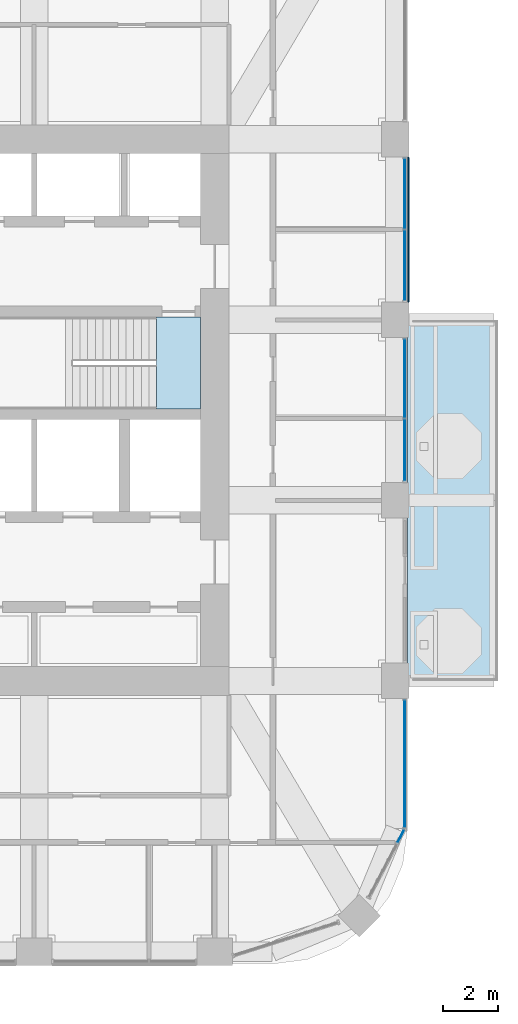
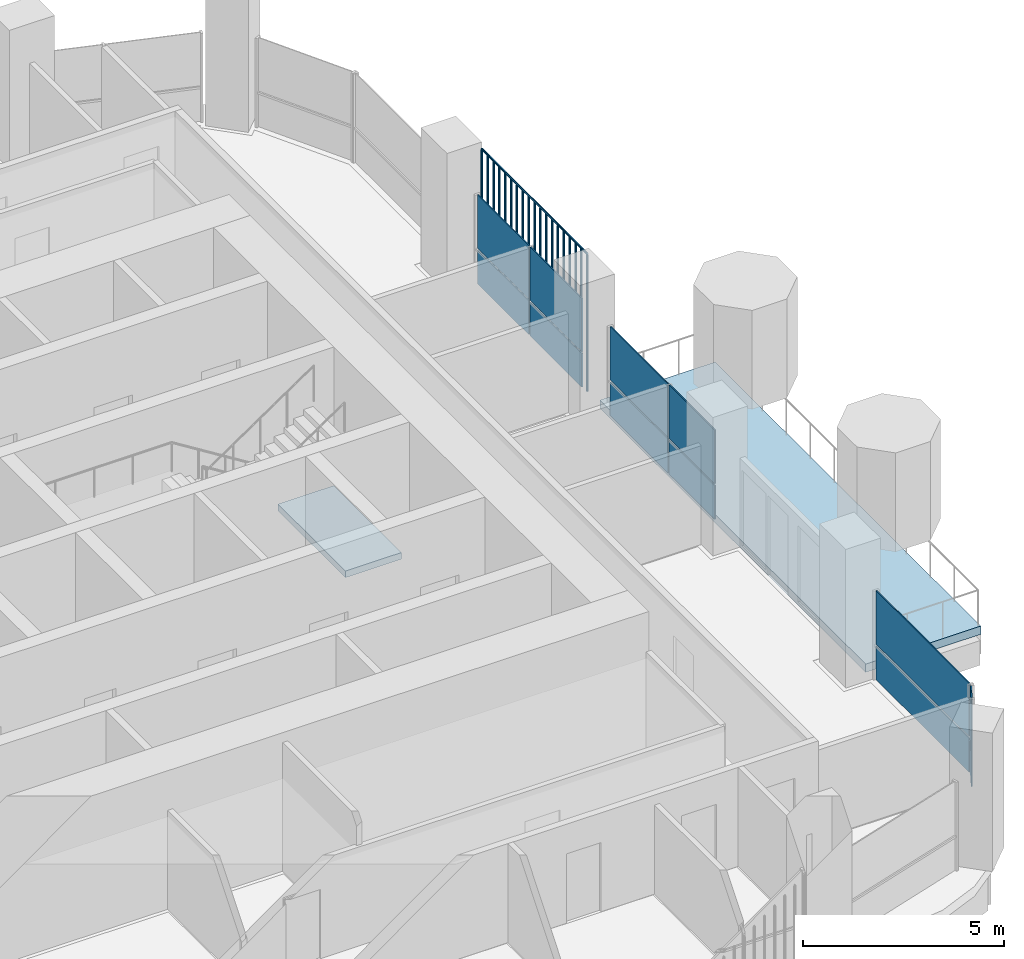
# One storey, part 9 of 19: 13 plates, 2 slabs, 5 elements without a shape of their own.
"""IFC4 building model written with IfcOpenShell, lengths in metres."""

from ifc_helpers import new_model, si_unit, direction, frame, origin, origin_2d, place, context, subcontext, project, spatial, polyline, rectangle, outline, extrude, material, layer, layer_set, type_object, element, aggregate, save


model = new_model("IFC4")

# Units and contexts
model_context = context("Model", 3, precision=1e-05, world=origin(), true_north=direction((0.0, 1.0)))
body_context = subcontext(model_context, "Body", "Model", "MODEL_VIEW")
ifc_project = project(units=[si_unit("LENGTHUNIT", "METRE"), si_unit("AREAUNIT", "SQUARE_METRE"), si_unit("VOLUMEUNIT", "CUBIC_METRE"), si_unit("PLANEANGLEUNIT", "RADIAN"), si_unit("MASSUNIT", "GRAM", prefix="KILO")], contexts=[model_context])

# Site, building, storey
site_placement = place(None, origin())
site = spatial("IfcSite", under=ifc_project, at=site_placement, CompositionType="ELEMENT")
building_placement = place(site_placement, origin())
building = spatial("IfcBuilding", under=site, at=building_placement, Name="Cobogo Forest Laboratory Tower", CompositionType="ELEMENT")
storey_placement = place(building_placement, frame((0.0, 0.0, 237.60009765625)))
storey = spatial("IfcBuildingStorey", under=building, at=storey_placement, Name="L54", CompositionType="ELEMENT", Elevation=237.60009765625)

# Slab
ifc_material_1 = material(Name="Concrete HA-40 (C40/50)", Category="concrete")
ifc_layer_1 = layer(ifc_material_1, 0.25)
ifc_layer_set_1 = layer_set([ifc_layer_1], Name="Balcony slab 250")
slab_type_1 = type_object("IfcSlabType", Name="Balcony slab 250", PredefinedType="FLOOR", material=ifc_layer_set_1)
slab_1_placement = place(storey_placement, frame((0.0, 0.0, -0.25)))
element("IfcSlab", 1, at=slab_1_placement, inside=storey, type_object=slab_type_1, Name="Balcony BAL-E1 L54", PredefinedType="FLOOR", context=body_context, shape_type="SweptSolid", body=[
    extrude(outline(polyline([(46.64990234375, 13.199951171875), (49.949951171875, 13.199951171875), (49.949951171875, 26.39990234375), (46.64990234375, 26.39990234375), (46.64990234375, 13.199951171875)])), origin(), (0.0, 0.0, 1.0), 0.25),
])

# Curtain wall, plates
ifc_material_2 = material(Name="Aluminium curtain wall", Category="aluminium")
curtain_wall_type = type_object("IfcCurtainWallType", Name="CW-2 unitised curtain wall, solar control glazing, laboratory floors zones C and D", PredefinedType="USERDEFINED", material=ifc_material_2)
curtain_wall_1_placement = place(storey_placement, origin())
curtain_wall_1 = element("IfcCurtainWall", 2, at=curtain_wall_1_placement, inside=storey, type_object=curtain_wall_type, Name="Curtain wall 06 L54", ObjectType="UNITISED CURTAIN WALL", PredefinedType="USERDEFINED")
ifc_material_3 = material(Name="Solar control insulated glass", Category="glass")
ifc_layer_2 = layer(ifc_material_3, 0.031982421875)
ifc_layer_set_2 = layer_set([ifc_layer_2], Name="GP-2 solar control glass unit 32")
plate_type_1 = type_object("IfcPlateType", Name="GP-2 solar control glass unit 32", PredefinedType="CURTAIN_PANEL", material=ifc_layer_set_2)
plate_1_placement = place(storey_placement, frame((46.40234375, 7.51806640625, 0.0), z_axis=(0.0, 0.0, 1.0), x_axis=(0.464283804832, 0.885686484356, 0.0)))
plate_1 = element("IfcPlate", 3, at=plate_1_placement, type_object=plate_type_1, Name="CW-2 panel 2.1", PredefinedType="CURTAIN_PANEL", context=body_context, shape_type="SweptSolid", body=[
    extrude(rectangle(XDim=0.516357421875, YDim=0.031982421875, at=origin_2d()), origin(), (0.0, 0.0, 1.0), 1.02001953125),
])
plate_2_placement = place(storey_placement, frame((46.40234375, 7.51806640625, 1.079833984375), z_axis=(0.0, 0.0, 1.0), x_axis=(0.464283804832, 0.885686484356, 0.0)))
plate_2 = element("IfcPlate", 4, at=plate_2_placement, type_object=plate_type_1, Name="CW-2 panel 2.2", PredefinedType="CURTAIN_PANEL", context=body_context, shape_type="SweptSolid", body=[
    extrude(rectangle(XDim=0.516357421875, YDim=0.031982421875, at=origin_2d()), origin(), (0.0, 0.0, 1.0), 1.6201171875),
])
aggregate(curtain_wall_1, [plate_1, plate_2])

curtain_wall_2_placement = place(storey_placement, origin())
curtain_wall_2 = element("IfcCurtainWall", 5, at=curtain_wall_2_placement, inside=storey, type_object=curtain_wall_type, Name="Curtain wall 07 L54", ObjectType="UNITISED CURTAIN WALL", PredefinedType="USERDEFINED")
plate_3_placement = place(storey_placement, frame((46.550048828125, 10.175048828125, 0.0), z_axis=(0.0, 0.0, 1.0), x_axis=(0.0, 1.0, 0.0)))
plate_3 = element("IfcPlate", 6, at=plate_3_placement, type_object=plate_type_1, Name="CW-2 panel 1.1", PredefinedType="CURTAIN_PANEL", context=body_context, shape_type="SweptSolid", body=[
    extrude(rectangle(XDim=4.6298828125, YDim=0.031982421875, at=origin_2d()), origin(), (0.0, 0.0, 1.0), 1.02001953125),
])
plate_4_placement = place(storey_placement, frame((46.550048828125, 10.175048828125, 1.079833984375), z_axis=(0.0, 0.0, 1.0), x_axis=(0.0, 1.0, 0.0)))
plate_4 = element("IfcPlate", 7, at=plate_4_placement, type_object=plate_type_1, Name="CW-2 panel 1.2", PredefinedType="CURTAIN_PANEL", context=body_context, shape_type="SweptSolid", body=[
    extrude(rectangle(XDim=4.6298828125, YDim=0.031982421875, at=origin_2d()), origin(), (0.0, 0.0, 1.0), 1.6201171875),
])
aggregate(curtain_wall_2, [plate_3, plate_4])

curtain_wall_3_placement = place(storey_placement, origin())
curtain_wall_3 = element("IfcCurtainWall", 8, at=curtain_wall_3_placement, inside=storey, type_object=curtain_wall_type, Name="Curtain wall 09 L54", ObjectType="UNITISED CURTAIN WALL", PredefinedType="USERDEFINED")
plate_5_placement = place(storey_placement, frame((46.550048828125, 21.639892578125, 0.0), z_axis=(0.0, 0.0, 1.0), x_axis=(0.0, 1.0, 0.0)))
plate_5 = element("IfcPlate", 9, at=plate_5_placement, type_object=plate_type_1, Name="CW-2 panel 1.1", PredefinedType="CURTAIN_PANEL", context=body_context, shape_type="SweptSolid", body=[
    extrude(rectangle(XDim=2.260009765625, YDim=0.031982421875, at=origin_2d()), origin(), (0.0, 0.0, 1.0), 1.02001953125),
])
plate_6_placement = place(storey_placement, frame((46.550048828125, 21.639892578125, 1.079833984375), z_axis=(0.0, 0.0, 1.0), x_axis=(0.0, 1.0, 0.0)))
plate_6 = element("IfcPlate", 10, at=plate_6_placement, type_object=plate_type_1, Name="CW-2 panel 1.2", PredefinedType="CURTAIN_PANEL", context=body_context, shape_type="SweptSolid", body=[
    extrude(rectangle(XDim=2.260009765625, YDim=0.031982421875, at=origin_2d()), origin(), (0.0, 0.0, 1.0), 1.6201171875),
])
plate_7_placement = place(storey_placement, frame((46.550048828125, 24.260009765625, 0.0), z_axis=(0.0, 0.0, 1.0), x_axis=(0.0, 1.0, 0.0)))
plate_7 = element("IfcPlate", 11, at=plate_7_placement, type_object=plate_type_1, Name="CW-2 panel 2.1", PredefinedType="CURTAIN_PANEL", context=body_context, shape_type="SweptSolid", body=[
    extrude(rectangle(XDim=2.860107421875, YDim=0.031982421875, at=origin_2d()), origin(), (0.0, 0.0, 1.0), 1.02001953125),
])
plate_8_placement = place(storey_placement, frame((46.550048828125, 24.260009765625, 1.079833984375), z_axis=(0.0, 0.0, 1.0), x_axis=(0.0, 1.0, 0.0)))
plate_8 = element("IfcPlate", 12, at=plate_8_placement, type_object=plate_type_1, Name="CW-2 panel 2.2", PredefinedType="CURTAIN_PANEL", context=body_context, shape_type="SweptSolid", body=[
    extrude(rectangle(XDim=2.860107421875, YDim=0.031982421875, at=origin_2d()), origin(), (0.0, 0.0, 1.0), 1.6201171875),
])
aggregate(curtain_wall_3, [plate_5, plate_6, plate_7, plate_8])

curtain_wall_4_placement = place(storey_placement, origin())
curtain_wall_4 = element("IfcCurtainWall", 13, at=curtain_wall_4_placement, inside=storey, type_object=curtain_wall_type, Name="Curtain wall 10 L54", ObjectType="UNITISED CURTAIN WALL", PredefinedType="USERDEFINED")
plate_9_placement = place(storey_placement, frame((46.550048828125, 28.389892578125, 0.0), z_axis=(0.0, 0.0, 1.0), x_axis=(0.0, 1.0, 0.0)))
plate_9 = element("IfcPlate", 14, at=plate_9_placement, type_object=plate_type_1, Name="CW-2 panel 1.1", PredefinedType="CURTAIN_PANEL", context=body_context, shape_type="SweptSolid", body=[
    extrude(rectangle(XDim=2.56005859375, YDim=0.031982421875, at=origin_2d()), origin(), (0.0, 0.0, 1.0), 1.02001953125),
])
plate_10_placement = place(storey_placement, frame((46.550048828125, 28.389892578125, 1.079833984375), z_axis=(0.0, 0.0, 1.0), x_axis=(0.0, 1.0, 0.0)))
plate_10 = element("IfcPlate", 15, at=plate_10_placement, type_object=plate_type_1, Name="CW-2 panel 1.2", PredefinedType="CURTAIN_PANEL", context=body_context, shape_type="SweptSolid", body=[
    extrude(rectangle(XDim=2.56005859375, YDim=0.031982421875, at=origin_2d()), origin(), (0.0, 0.0, 1.0), 1.6201171875),
])
plate_11_placement = place(storey_placement, frame((46.550048828125, 31.010009765625, 0.0), z_axis=(0.0, 0.0, 1.0), x_axis=(0.0, 1.0, 0.0)))
plate_11 = element("IfcPlate", 16, at=plate_11_placement, type_object=plate_type_1, Name="CW-2 panel 2.1", PredefinedType="CURTAIN_PANEL", context=body_context, shape_type="SweptSolid", body=[
    extrude(rectangle(XDim=2.56005859375, YDim=0.031982421875, at=origin_2d()), origin(), (0.0, 0.0, 1.0), 1.02001953125),
])
plate_12_placement = place(storey_placement, frame((46.550048828125, 31.010009765625, 1.079833984375), z_axis=(0.0, 0.0, 1.0), x_axis=(0.0, 1.0, 0.0)))
plate_12 = element("IfcPlate", 17, at=plate_12_placement, type_object=plate_type_1, Name="CW-2 panel 2.2", PredefinedType="CURTAIN_PANEL", context=body_context, shape_type="SweptSolid", body=[
    extrude(rectangle(XDim=2.56005859375, YDim=0.031982421875, at=origin_2d()), origin(), (0.0, 0.0, 1.0), 1.6201171875),
])
aggregate(curtain_wall_4, [plate_9, plate_10, plate_11, plate_12])

# Stair, slab
ifc_material_4 = material(Name="Precast concrete HA-40 (C40/50)", Category="concrete")
stair_type = type_object("IfcStairType", Name="ST24 exit stair 24 risers", PredefinedType="HALF_TURN_STAIR", material=ifc_material_4)
stair_placement = place(storey_placement, origin())
stair = element("IfcStair", 18, at=stair_placement, inside=storey, type_object=stair_type, Name="Stair 2 L54 to L55", PredefinedType="HALF_TURN_STAIR")
ifc_layer_3 = layer(ifc_material_1, 0.199951171875)
ifc_layer_set_3 = layer_set([ifc_layer_3], Name="SL stair landing 200")
slab_type_2 = type_object("IfcSlabType", Name="SL stair landing 200", PredefinedType="LANDING", material=ifc_layer_set_3)
slab_2_placement = place(storey_placement, frame((0.0, 0.0, -0.2001953125)))
slab_2 = element("IfcSlab", 19, at=slab_2_placement, type_object=slab_type_2, Name="ST2 landing 1", PredefinedType="LANDING", context=body_context, shape_type="SweptSolid", body=[
    extrude(outline(polyline([(37.472900390625, 23.14990234375), (39.074951171875, 23.14990234375), (39.074951171875, 26.5), (37.472900390625, 26.5), (37.472900390625, 23.14990234375)])), origin(), (0.0, 0.0, 1.0), 0.2001953125),
])
aggregate(stair, [slab_2])

# Plate
ifc_material_5 = material(Name="Terracotta", Category="masonry")
plate_type_2 = type_object("IfcPlateType", Name="TB1 terracotta baguette screen", PredefinedType="USERDEFINED", material=ifc_material_5)
plate_13_placement = place(storey_placement, frame((46.677978515625, 27.081298828125, -0.150146484375)))
element("IfcPlate", 20, at=plate_13_placement, inside=storey, type_object=plate_type_2, Name="Baguette screen E3 L54", ObjectType="BAGUETTE SCREEN", PredefinedType="USERDEFINED", context=body_context, shape_type="SweptSolid", body=[
    extrude(outline(polyline([(0.02880859375, 0.011962890625), (0.011962890625, 0.02880859375), (-0.011962890625, 0.02880859375), (-0.02880859375, 0.011962890625), (-0.02880859375, -0.011962890625), (-0.011962890625, -0.02880859375), (0.011962890625, -0.02880859375), (0.02880859375, -0.011962890625), (0.02880859375, 0.011962890625)])), frame((0.0, 0.0, 4.168701171875), z_axis=(0.0, 1.0, 0.0), x_axis=(-1.0, 0.0, 0.0)), (0.0, 0.0, 1.0), 5.237548828125),
    extrude(outline(polyline([(0.02880859375, 0.011962890625), (0.011962890625, 0.02880859375), (-0.011962890625, 0.02880859375), (-0.02880859375, 0.011962890625), (-0.02880859375, -0.011962890625), (-0.011962890625, -0.02880859375), (0.011962890625, -0.02880859375), (0.02880859375, -0.011962890625), (0.02880859375, 0.011962890625)])), origin(), (0.0, 0.0, 1.0), 4.137451171875),
    extrude(outline(polyline([(0.02880859375, 0.011962890625), (0.011962890625, 0.02880859375), (-0.011962890625, 0.02880859375), (-0.02880859375, 0.011962890625), (-0.02880859375, -0.011962890625), (-0.011962890625, -0.02880859375), (0.011962890625, -0.02880859375), (0.02880859375, -0.011962890625), (0.02880859375, 0.011962890625)])), frame((0.0, 0.291015625, 0.0)), (0.0, 0.0, 1.0), 4.137451171875),
    extrude(outline(polyline([(0.02880859375, 0.011962890625), (0.011962890625, 0.02880859375), (-0.011962890625, 0.02880859375), (-0.02880859375, 0.011962890625), (-0.02880859375, -0.011962890625), (-0.011962890625, -0.02880859375), (0.011962890625, -0.02880859375), (0.02880859375, -0.011962890625), (0.02880859375, 0.011962890625)])), frame((0.0, 0.58203125, 0.0)), (0.0, 0.0, 1.0), 4.137451171875),
    extrude(outline(polyline([(0.02880859375, 0.011962890625), (0.011962890625, 0.02880859375), (-0.011962890625, 0.02880859375), (-0.02880859375, 0.011962890625), (-0.02880859375, -0.011962890625), (-0.011962890625, -0.02880859375), (0.011962890625, -0.02880859375), (0.02880859375, -0.011962890625), (0.02880859375, 0.011962890625)])), frame((0.0, 0.873046875, 0.0)), (0.0, 0.0, 1.0), 4.137451171875),
    extrude(outline(polyline([(0.02880859375, 0.011962890625), (0.011962890625, 0.02880859375), (-0.011962890625, 0.02880859375), (-0.02880859375, 0.011962890625), (-0.02880859375, -0.011962890625), (-0.011962890625, -0.02880859375), (0.011962890625, -0.02880859375), (0.02880859375, -0.011962890625), (0.02880859375, 0.011962890625)])), frame((0.0, 1.163818359375, 0.0)), (0.0, 0.0, 1.0), 4.137451171875),
    extrude(outline(polyline([(0.02880859375, 0.011962890625), (0.011962890625, 0.02880859375), (-0.011962890625, 0.02880859375), (-0.02880859375, 0.011962890625), (-0.02880859375, -0.011962890625), (-0.011962890625, -0.02880859375), (0.011962890625, -0.02880859375), (0.02880859375, -0.011962890625), (0.02880859375, 0.011962890625)])), frame((0.0, 1.454833984375, 0.0)), (0.0, 0.0, 1.0), 4.137451171875),
    extrude(outline(polyline([(0.02880859375, 0.011962890625), (0.011962890625, 0.02880859375), (-0.011962890625, 0.02880859375), (-0.02880859375, 0.011962890625), (-0.02880859375, -0.011962890625), (-0.011962890625, -0.02880859375), (0.011962890625, -0.02880859375), (0.02880859375, -0.011962890625), (0.02880859375, 0.011962890625)])), frame((0.0, 1.745849609375, 0.0)), (0.0, 0.0, 1.0), 4.137451171875),
    extrude(outline(polyline([(0.02880859375, 0.011962890625), (0.011962890625, 0.02880859375), (-0.011962890625, 0.02880859375), (-0.02880859375, 0.011962890625), (-0.02880859375, -0.011962890625), (-0.011962890625, -0.02880859375), (0.011962890625, -0.02880859375), (0.02880859375, -0.011962890625), (0.02880859375, 0.011962890625)])), frame((0.0, 2.036865234375, 0.0)), (0.0, 0.0, 1.0), 4.137451171875),
    extrude(outline(polyline([(0.02880859375, 0.011962890625), (0.011962890625, 0.02880859375), (-0.011962890625, 0.02880859375), (-0.02880859375, 0.011962890625), (-0.02880859375, -0.011962890625), (-0.011962890625, -0.02880859375), (0.011962890625, -0.02880859375), (0.02880859375, -0.011962890625), (0.02880859375, 0.011962890625)])), frame((0.0, 2.327880859375, 0.0)), (0.0, 0.0, 1.0), 4.137451171875),
    extrude(outline(polyline([(0.02880859375, 0.011962890625), (0.011962890625, 0.02880859375), (-0.011962890625, 0.02880859375), (-0.02880859375, 0.011962890625), (-0.02880859375, -0.011962890625), (-0.011962890625, -0.02880859375), (0.011962890625, -0.02880859375), (0.02880859375, -0.011962890625), (0.02880859375, 0.011962890625)])), frame((0.0, 2.61865234375, 0.0)), (0.0, 0.0, 1.0), 4.137451171875),
    extrude(outline(polyline([(0.02880859375, 0.011962890625), (0.011962890625, 0.02880859375), (-0.011962890625, 0.02880859375), (-0.02880859375, 0.011962890625), (-0.02880859375, -0.011962890625), (-0.011962890625, -0.02880859375), (0.011962890625, -0.02880859375), (0.02880859375, -0.011962890625), (0.02880859375, 0.011962890625)])), frame((0.0, 2.90966796875, 0.0)), (0.0, 0.0, 1.0), 4.137451171875),
    extrude(outline(polyline([(0.02880859375, 0.011962890625), (0.011962890625, 0.02880859375), (-0.011962890625, 0.02880859375), (-0.02880859375, 0.011962890625), (-0.02880859375, -0.011962890625), (-0.011962890625, -0.02880859375), (0.011962890625, -0.02880859375), (0.02880859375, -0.011962890625), (0.02880859375, 0.011962890625)])), frame((0.0, 3.20068359375, 0.0)), (0.0, 0.0, 1.0), 4.137451171875),
    extrude(outline(polyline([(0.02880859375, 0.011962890625), (0.011962890625, 0.02880859375), (-0.011962890625, 0.02880859375), (-0.02880859375, 0.011962890625), (-0.02880859375, -0.011962890625), (-0.011962890625, -0.02880859375), (0.011962890625, -0.02880859375), (0.02880859375, -0.011962890625), (0.02880859375, 0.011962890625)])), frame((0.0, 3.49169921875, 0.0)), (0.0, 0.0, 1.0), 4.137451171875),
    extrude(outline(polyline([(0.02880859375, 0.011962890625), (0.011962890625, 0.02880859375), (-0.011962890625, 0.02880859375), (-0.02880859375, 0.011962890625), (-0.02880859375, -0.011962890625), (-0.011962890625, -0.02880859375), (0.011962890625, -0.02880859375), (0.02880859375, -0.011962890625), (0.02880859375, 0.011962890625)])), frame((0.0, 3.78271484375, 0.0)), (0.0, 0.0, 1.0), 4.137451171875),
    extrude(outline(polyline([(0.02880859375, 0.011962890625), (0.011962890625, 0.02880859375), (-0.011962890625, 0.02880859375), (-0.02880859375, 0.011962890625), (-0.02880859375, -0.011962890625), (-0.011962890625, -0.02880859375), (0.011962890625, -0.02880859375), (0.02880859375, -0.011962890625), (0.02880859375, 0.011962890625)])), frame((0.0, 4.07373046875, 0.0)), (0.0, 0.0, 1.0), 4.137451171875),
    extrude(outline(polyline([(0.02880859375, 0.011962890625), (0.011962890625, 0.02880859375), (-0.011962890625, 0.02880859375), (-0.02880859375, 0.011962890625), (-0.02880859375, -0.011962890625), (-0.011962890625, -0.02880859375), (0.011962890625, -0.02880859375), (0.02880859375, -0.011962890625), (0.02880859375, 0.011962890625)])), frame((0.0, 4.36474609375, 0.0)), (0.0, 0.0, 1.0), 4.137451171875),
    extrude(outline(polyline([(0.02880859375, 0.011962890625), (0.011962890625, 0.02880859375), (-0.011962890625, 0.02880859375), (-0.02880859375, 0.011962890625), (-0.02880859375, -0.011962890625), (-0.011962890625, -0.02880859375), (0.011962890625, -0.02880859375), (0.02880859375, -0.011962890625), (0.02880859375, 0.011962890625)])), frame((0.0, 4.655517578125, 0.0)), (0.0, 0.0, 1.0), 4.137451171875),
    extrude(outline(polyline([(0.02880859375, 0.011962890625), (0.011962890625, 0.02880859375), (-0.011962890625, 0.02880859375), (-0.02880859375, 0.011962890625), (-0.02880859375, -0.011962890625), (-0.011962890625, -0.02880859375), (0.011962890625, -0.02880859375), (0.02880859375, -0.011962890625), (0.02880859375, 0.011962890625)])), frame((0.0, 4.946533203125, 0.0)), (0.0, 0.0, 1.0), 4.137451171875),
    extrude(outline(polyline([(0.02880859375, 0.011962890625), (0.011962890625, 0.02880859375), (-0.011962890625, 0.02880859375), (-0.02880859375, 0.011962890625), (-0.02880859375, -0.011962890625), (-0.011962890625, -0.02880859375), (0.011962890625, -0.02880859375), (0.02880859375, -0.011962890625), (0.02880859375, 0.011962890625)])), frame((0.0, 5.237548828125, 0.0)), (0.0, 0.0, 1.0), 4.137451171875),
])

save(model, "model.ifc")
